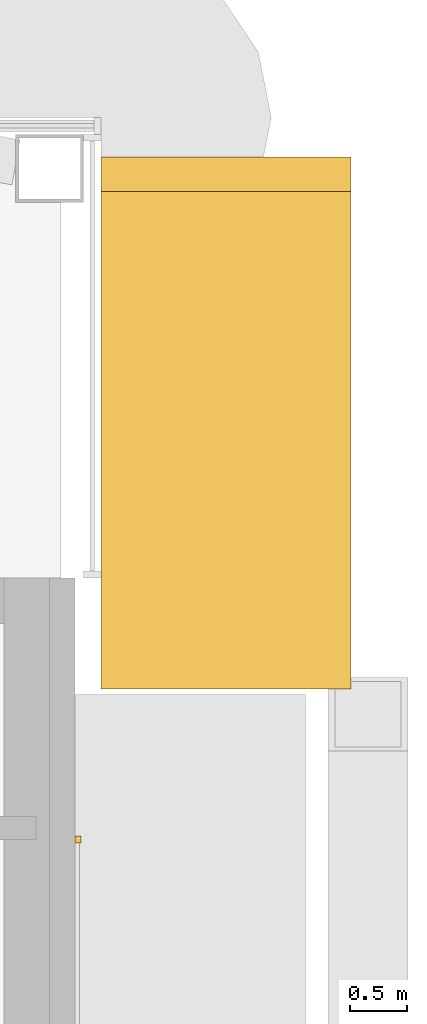
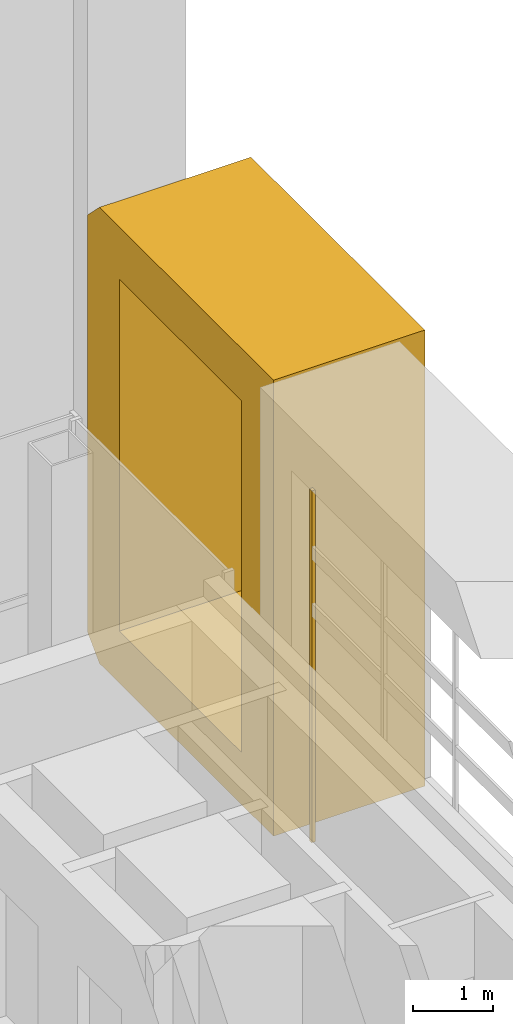
# One storey, part 27 of 29: 2 coverings.
"""IFC4 building model written with IfcOpenShell, lengths in metres."""

import ifcopenshell
import ifcopenshell.guid

model = None  # the IFC model being written
_history = None  # IfcOwnerHistory: only IFC2X3 demands one
_inside = {}  # id of a spatial element -> (the spatial element, [elements in it])
_under = {}  # id of a project, library or spatial element -> (it, [spatial elements below it])
_declared = {}  # id of a project -> (the project, [libraries it declares])
_typed = {}  # id of a type object -> (the type object, [elements of that type])
_made_of = {}  # id of a material, layer set ... -> (it, [elements and type objects made of it])


def new_model(schema):
    """Start an empty IFC model of exactly this schema.

    Asked for "IFC4X3", IfcOpenShell would pick the latest addendum, in which some entities
    have other attributes; the version numbers below select the first issue.
    IFC2X3 requires an IfcOwnerHistory on every rooted entity: one is made here for all.
    """
    global model, _history
    if schema == "IFC4X3":
        model = ifcopenshell.file(schema_version=(4, 3, 0, 0))
    else:
        model = ifcopenshell.file(schema=schema)
    _inside.clear()
    _under.clear()
    _declared.clear()
    _typed.clear()
    _made_of.clear()
    _history = None
    if model.schema == "IFC2X3":
        org = make("IfcOrganization", Name="unknown")
        user = make(
            "IfcPersonAndOrganization",
            ThePerson=make("IfcPerson", FamilyName="unknown"),
            TheOrganization=org,
        )
        app = make(
            "IfcApplication",
            ApplicationDeveloper=org,
            Version="unknown",
            ApplicationFullName="unknown",
            ApplicationIdentifier="unknown",
        )
        _history = make(
            "IfcOwnerHistory",
            OwningUser=user,
            OwningApplication=app,
            ChangeAction="ADDED",
            CreationDate=0,
        )
    return model


def make(cls, **values):
    """One entity of the class cls with the attributes given. An attribute that is None is left unset."""
    return model.create_entity(
        cls, **{name: value for name, value in values.items() if value is not None}
    )


def rooted(cls, **values):
    """An entity with a GlobalId (a new one), such as an element, a storey or a relation."""
    return make(cls, GlobalId=ifcopenshell.guid.new(), OwnerHistory=_history, **values)


def si_unit(unit_type, name, prefix=None):
    """IfcSIUnit, for example si_unit("LENGTHUNIT", "METRE", prefix="MILLI")."""
    return make("IfcSIUnit", UnitType=unit_type, Prefix=prefix, Name=name)


def assignment(units):
    """IfcUnitAssignment: the units of a project."""
    return None if units is None else make("IfcUnitAssignment", Units=units)


def point(xyz):
    """IfcCartesianPoint."""
    return None if xyz is None else make("IfcCartesianPoint", Coordinates=xyz)


def direction(xyz):
    """IfcDirection."""
    return None if xyz is None else make("IfcDirection", DirectionRatios=xyz)


def frame(location, z_axis=None, x_axis=None):
    """IfcAxis2Placement3D, a coordinate frame: its origin and axes. An axis left out is left unset."""
    return make(
        "IfcAxis2Placement3D",
        Location=point(location),
        Axis=direction(z_axis),
        RefDirection=direction(x_axis),
    )


def frame_2d(location, x_axis=None):
    """IfcAxis2Placement2D, a coordinate frame in the plane: its origin and x axis."""
    return make(
        "IfcAxis2Placement2D", Location=point(location), RefDirection=direction(x_axis)
    )


def origin():
    """The frame at (0, 0, 0) with its axes left unset."""
    return frame((0.0, 0.0, 0.0))


def origin_2d():
    """The frame at (0, 0) in the plane with its x axis left unset."""
    return frame_2d((0.0, 0.0))


def place(relative_to, where):
    """IfcLocalPlacement: puts the frame where relative to a parent placement (None: the world)."""
    return make(
        "IfcLocalPlacement", PlacementRelTo=relative_to, RelativePlacement=where
    )


def context(
    kind, dimensions, precision=None, world=None, true_north=None, identifier=None
):
    """IfcGeometricRepresentationContext, for example the 3D "Model" context."""
    return make(
        "IfcGeometricRepresentationContext",
        ContextIdentifier=identifier,
        ContextType=kind,
        CoordinateSpaceDimension=dimensions,
        Precision=precision,
        WorldCoordinateSystem=world,
        TrueNorth=true_north,
    )


def subcontext(parent, identifier, kind, view, scale=None):
    """IfcGeometricRepresentationSubContext, for example "Body" below "Model"."""
    return make(
        "IfcGeometricRepresentationSubContext",
        ContextIdentifier=identifier,
        ContextType=kind,
        ParentContext=parent,
        TargetScale=scale,
        TargetView=view,
    )


def project(units=None, contexts=None):
    """IfcProject with its units and contexts."""
    return rooted(
        "IfcProject",
        Name="project",
        RepresentationContexts=contexts,
        UnitsInContext=assignment(units),
    )


def spatial(cls, under=None, at=None, **own):
    """A site, building, storey or space (cls), placed at a placement, below another one or the project."""
    s = rooted(cls, ObjectPlacement=at, **own)
    if under is not None:
        _under.setdefault(under.id(), (under, []))[1].append(s)
    return s


def polyline(points):
    """IfcPolyline through the points."""
    return make("IfcPolyline", Points=[point(p) for p in points])


def profile(cls, at=None, kind="AREA", **sizes):
    """A parametric profile (cls). Its sizes go by their IFC names, for example OverallWidth=200.0."""
    return make(cls, ProfileType=kind, Position=at, **sizes)


def rectangle(**sizes):
    """IfcRectangleProfileDef."""
    return profile("IfcRectangleProfileDef", **sizes)


def outline(outer, holes=None, kind="AREA"):
    """IfcArbitraryClosedProfileDef: a profile drawn as a closed curve; with holes, ...WithVoids."""
    if holes is None:
        return make("IfcArbitraryClosedProfileDef", ProfileType=kind, OuterCurve=outer)
    return make(
        "IfcArbitraryProfileDefWithVoids",
        ProfileType=kind,
        OuterCurve=outer,
        InnerCurves=holes,
    )


def extrude(swept, where, along, depth):
    """IfcExtrudedAreaSolid: the profile swept, set in the frame where, extruded along a direction by depth."""
    return make(
        "IfcExtrudedAreaSolid",
        SweptArea=swept,
        Position=where,
        ExtrudedDirection=direction(along),
        Depth=depth,
    )


def shape(context_of_items, identifier, shape_type, items):
    """IfcShapeRepresentation: the items that make up one representation, for example the "Body"."""
    return make(
        "IfcShapeRepresentation",
        ContextOfItems=context_of_items,
        RepresentationIdentifier=identifier,
        RepresentationType=shape_type,
        Items=items,
    )


def material(Name=None, Category=None):
    """IfcMaterial."""
    return make("IfcMaterial", Name=Name, Category=Category)


def made_of(thing, what):
    """Note that an element or type object is made of a material, layer set ...; save() writes the relation."""
    if what is not None:
        _made_of.setdefault(what.id(), (what, []))[1].append(thing)
    return thing


def type_object(cls, material=None, **own):
    """A type object (cls), such as IfcWallType, which elements share."""
    return made_of(rooted(cls, **own), material)


def element(
    cls,
    number,
    at=None,
    inside=None,
    cuts=None,
    type_object=None,
    material=None,
    context=None,
    identifier="Body",
    shape_type=None,
    held_by="IfcProductDefinitionShape",
    body=None,
    shapes=None,
    **own,
):
    """One element of the class cls, such as IfcWall. Its Tag is "e" and its number.

    at: its placement. inside: the storey or other place that contains it. cuts: it is an
    opening in that element (IfcRelVoidsElement). A single representation is given by context,
    identifier, shape_type and body (its items); several are given by shapes. held_by: the class
    of the entity that holds the representations. save() writes the other relations.
    """
    e = rooted(cls, Tag="e%d" % number, ObjectPlacement=at, **own)
    if body is not None:
        shapes = [shape(context, identifier, shape_type, body)]
    if shapes is not None:
        e.Representation = make(held_by, Representations=shapes)
    if inside is not None:
        _inside.setdefault(inside.id(), (inside, []))[1].append(e)
    if cuts is not None:
        rooted(
            "IfcRelVoidsElement", RelatingBuildingElement=cuts, RelatedOpeningElement=e
        )
    if type_object is not None:
        _typed.setdefault(type_object.id(), (type_object, []))[1].append(e)
    return made_of(e, material)


def aggregate(whole, parts):
    """IfcRelAggregates: a whole, such as a stair, and the parts it consists of."""
    return rooted("IfcRelAggregates", RelatingObject=whole, RelatedObjects=parts)


def save(model, path):
    """Write the relations noted so far, then the file.

    IfcRelAggregates (storeys below a building ...), IfcRelContainedInSpatialStructure (elements
    in a storey), IfcRelDefinesByType, IfcRelAssociatesMaterial and IfcRelDeclares: one each for
    every whole, place, type object, material and project.
    """
    for whole, parts in _under.values():
        aggregate(whole, parts)
    for where, things in _inside.values():
        rooted(
            "IfcRelContainedInSpatialStructure",
            RelatedElements=things,
            RelatingStructure=where,
        )
    for kind, things in _typed.values():
        rooted("IfcRelDefinesByType", RelatedObjects=things, RelatingType=kind)
    for what, things in _made_of.values():
        rooted("IfcRelAssociatesMaterial", RelatedObjects=things, RelatingMaterial=what)
    for by, libraries in _declared.values():
        rooted("IfcRelDeclares", RelatingContext=by, RelatedDefinitions=libraries)
    model.write(path)


model = new_model("IFC4")

# Units and contexts
model_context = context("Model", 3, precision=1e-05, world=origin(), true_north=direction((0.0, 1.0)))
body_context = subcontext(model_context, "Body", "Model", "MODEL_VIEW")
ifc_project = project(units=[si_unit("LENGTHUNIT", "METRE"), si_unit("AREAUNIT", "SQUARE_METRE"), si_unit("VOLUMEUNIT", "CUBIC_METRE"), si_unit("PLANEANGLEUNIT", "RADIAN"), si_unit("MASSUNIT", "GRAM", prefix="KILO")], contexts=[model_context])

# Site, building, storey
site_placement = place(None, origin())
site = spatial("IfcSite", under=ifc_project, at=site_placement, CompositionType="ELEMENT")
building_placement = place(site_placement, origin())
building = spatial("IfcBuilding", under=site, at=building_placement, Name="Cobrizo Arcos Hotel Tower", CompositionType="ELEMENT")
storey_placement = place(building_placement, frame((0.0, 0.0, 241.0)))
storey = spatial("IfcBuildingStorey", under=building, at=storey_placement, Name="L63", CompositionType="ELEMENT", Elevation=241.0)

# Coverings
ifc_material_1 = material(Name="Aluminium 6063-T6 anodised bronze", Category="aluminium")
covering_type_1 = type_object("IfcCoveringType", Name="FIN-F 2200", PredefinedType="CLADDING", material=ifc_material_1)
covering_1_placement = place(storey_placement, frame((20.85009765625, 9.824951171875, 0.0), z_axis=(1.0, 0.0, 0.0), x_axis=(0.0, 1.0, 0.0)))
element("IfcCovering", 1, at=covering_1_placement, inside=storey, type_object=covering_type_1, Name="Fin frame 382", PredefinedType="CLADDING", context=body_context, shape_type="SweptSolid", body=[
    extrude(outline(polyline([(0.0, 7.0), (0.0, 0.0), (4.375, 0.0), (4.675048828125, 0.300048828125), (4.675048828125, 6.699951171875), (4.375, 7.0), (0.0, 7.0)]), holes=[polyline([(3.875, 0.800048828125), (0.800048828125, 0.800048828125), (0.800048828125, 6.199951171875), (3.875, 6.199951171875), (3.875, 0.800048828125)])]), origin(), (0.0, 0.0, 1.0), 2.199951171875),
])
ifc_material_2 = material(Name="Aluminium 6063-T6 anodised pale", Category="aluminium")
covering_type_2 = type_object("IfcCoveringType", Name="RS-2 rainscreen rib 60x50", PredefinedType="CLADDING", material=ifc_material_2)
covering_2_placement = place(storey_placement, frame((20.64990234375, 8.5, 0.800048828125), z_axis=(0.0, 0.0, 1.0), x_axis=(0.0, 1.0, 0.0)))
element("IfcCovering", 2, at=covering_2_placement, inside=storey, type_object=covering_type_2, Name="Rainscreen rib 250", PredefinedType="CLADDING", context=body_context, shape_type="SweptSolid", body=[
    extrude(rectangle(XDim=0.06005859375, YDim=0.050048828125, at=origin_2d()), origin(), (0.0, 0.0, 1.0), 5.39990234375),
])

save(model, "model.ifc")
